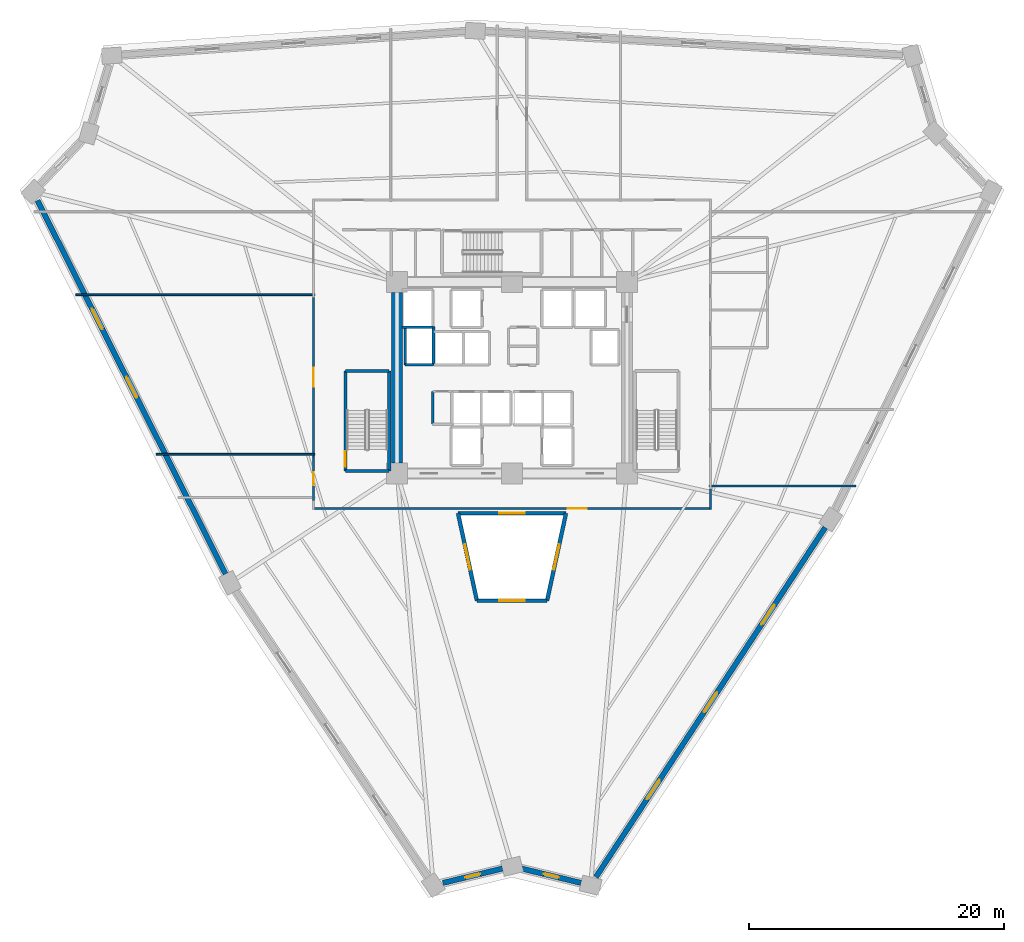
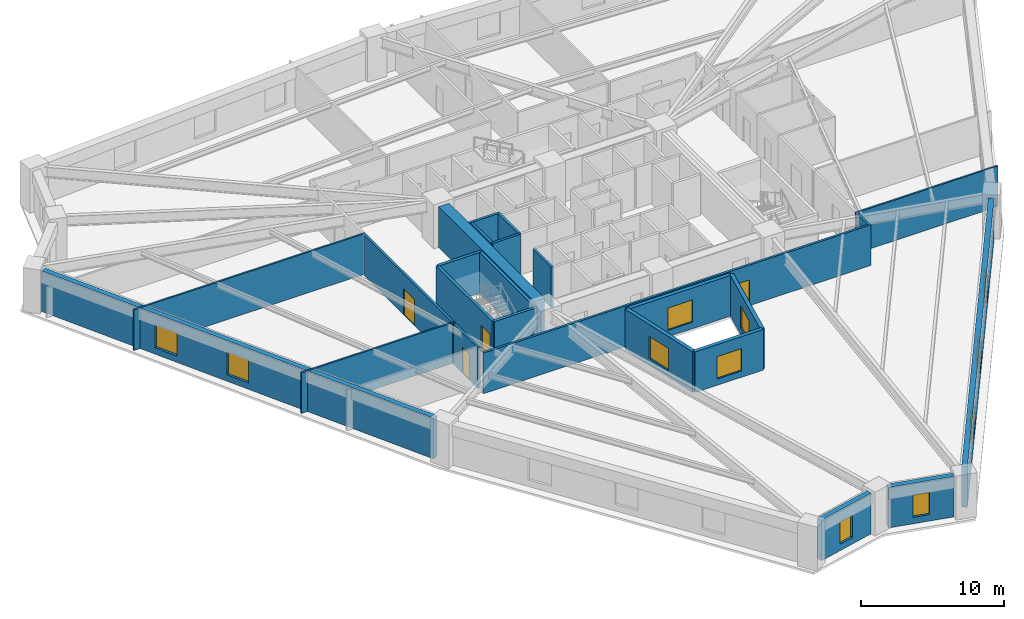
# One storey, part 3 of 8: 25 walls, 11 windows, 4 doors, 15 openings.
"""IFC4 building model written with IfcOpenShell, lengths in metres."""

from ifc_helpers import new_model, si_unit, direction, frame, frame_2d, origin, place, context, subcontext, project, spatial, rectangle, extrude, source, transform, mapped, material, layer, layer_set, type_object, element, fill, save


model = new_model("IFC4")

# Units and contexts
model_context = context("Model", 3, precision=1e-05, world=origin(), true_north=direction((0.0, 1.0)))
body_context = subcontext(model_context, "Body", "Model", "MODEL_VIEW")
ifc_project = project(units=[si_unit("LENGTHUNIT", "METRE"), si_unit("AREAUNIT", "SQUARE_METRE"), si_unit("VOLUMEUNIT", "CUBIC_METRE"), si_unit("PLANEANGLEUNIT", "RADIAN"), si_unit("MASSUNIT", "GRAM", prefix="KILO")], contexts=[model_context])

# Site, building, storey
site_placement = place(None, origin())
site = spatial("IfcSite", under=ifc_project, at=site_placement, CompositionType="ELEMENT")
building_placement = place(site_placement, origin())
building = spatial("IfcBuilding", under=site, at=building_placement, Name="Liaohun Quay Tower", CompositionType="ELEMENT")
storey_placement = place(building_placement, frame((0.0, 0.0, 89.25)))
storey = spatial("IfcBuildingStorey", under=building, at=storey_placement, Name="L23", CompositionType="ELEMENT", Elevation=89.25)

# Wall, opening, window
ifc_material_1 = material(Name="Concrete C50", Category="concrete")
ifc_layer_1 = layer(ifc_material_1, 0.300048828125, Name="Concrete C50", Category="concrete")
ifc_layer_set_1 = layer_set([ifc_layer_1], Name="Concrete C50")
wall_type_1 = type_object("IfcWallType", Name="WAL-ATR-300", PredefinedType="SOLIDWALL", material=ifc_layer_set_1)
wall_1_placement = place(storey_placement, frame((57.2509765625, 36.52197265625, 0.0), z_axis=(0.0, 0.0, 1.0), x_axis=(-0.211370579765, 0.977405994462, 0.0)))
wall_1 = element("IfcWall", 1, at=wall_1_placement, inside=storey, type_object=wall_type_1, Name="L23 Atrium Fire Compartment Wall 1", PredefinedType="SOLIDWALL", context=body_context, shape_type="SweptSolid", body=[
    extrude(rectangle(XDim=7.00634765625, YDim=0.300048828125, at=frame_2d((3.503173828125, 0.0))), origin(), (0.0, 0.0, 1.0), 3.469970703125),
])
shared_shape_1 = source(origin(), body_context, "Body", "SweptSolid", [
    extrude(rectangle(XDim=2.0, YDim=1.89990234375, at=frame_2d((1.0, 0.949951171875))), frame((0.0, 0.159912109375, 0.0), z_axis=(0.0, -1.0, 0.0), x_axis=(1.0, 0.0, 0.0)), (0.0, 0.0, 1.0), 0.320068359375),
])
opening_1_placement = place(wall_1_placement, frame((2.5029296875, 0.0, 0.550048828125)))
opening_1 = element("IfcOpeningElement", 2, at=opening_1_placement, cuts=wall_1, Name="Opening W07", PredefinedType="OPENING", context=body_context, shape_type="MappedRepresentation", body=[
    mapped(shared_shape_1, transform((0.0, 0.0, 0.0), x_axis=(1.0, 0.0, 0.0), y_axis=(0.0, 1.0, 0.0), z_axis=(0.0, 0.0, 1.0), scale=1.0)),
])
ifc_material_2 = material(Name="Class A 180-min fire-resistant insulated glazing", Category="glass")
window_type_1 = type_object("IfcWindowType", Name="WIN-ATR-FIR", PartitioningType="DOUBLE_PANEL_VERTICAL", PredefinedType="WINDOW", material=ifc_material_2)
shared_shape_2 = source(origin(), body_context, "Body", "SweptSolid", [
    extrude(rectangle(XDim=2.0, YDim=1.89990234375, at=frame_2d((1.0, 0.949951171875))), frame((0.0, 0.030029296875, 0.0), z_axis=(0.0, -1.0, 0.0), x_axis=(1.0, 0.0, 0.0)), (0.0, 0.0, 1.0), 0.06005859375),
])
window_1_placement = place(opening_1_placement, origin())
window_1 = element("IfcWindow", 3, at=window_1_placement, inside=storey, type_object=window_type_1, Name="L23 Atrium Fire-Resistant Glazing W07-1", OverallHeight=1.89990234375, OverallWidth=2.0, PartitioningType="DOUBLE_PANEL_VERTICAL", PredefinedType="WINDOW", context=body_context, shape_type="MappedRepresentation", body=[
    mapped(shared_shape_2, transform((0.0, 0.0, 0.0), x_axis=(1.0, 0.0, 0.0), y_axis=(0.0, 1.0, 0.0), z_axis=(0.0, 0.0, 1.0), scale=1.0)),
])
fill(opening_1, window_1)

wall_2_placement = place(storey_placement, frame((55.77001953125, 43.3701171875, 0.0), z_axis=(0.0, 0.0, 1.0), x_axis=(1.0, 0.0, 0.0)))
wall_2 = element("IfcWall", 4, at=wall_2_placement, inside=storey, type_object=wall_type_1, Name="L23 Atrium Fire Compartment Wall 2", PredefinedType="SOLIDWALL", context=body_context, shape_type="SweptSolid", body=[
    extrude(rectangle(XDim=8.4599609375, YDim=0.300048828125, at=frame_2d((4.22998046875, 0.0))), origin(), (0.0, 0.0, 1.0), 3.469970703125),
])
opening_2_placement = place(wall_2_placement, frame((3.22998046875, 0.0, 0.550048828125)))
opening_2 = element("IfcOpeningElement", 5, at=opening_2_placement, cuts=wall_2, Name="Opening W07", PredefinedType="OPENING", context=body_context, shape_type="MappedRepresentation", body=[
    mapped(shared_shape_1, transform((0.0, 0.0, 0.0), x_axis=(1.0, 0.0, 0.0), y_axis=(0.0, 1.0, 0.0), z_axis=(0.0, 0.0, 1.0), scale=1.0)),
])
window_2_placement = place(opening_2_placement, origin())
window_2 = element("IfcWindow", 6, at=window_2_placement, inside=storey, type_object=window_type_1, Name="L23 Atrium Fire-Resistant Glazing W07-2", OverallHeight=1.89990234375, OverallWidth=2.0, PartitioningType="DOUBLE_PANEL_VERTICAL", PredefinedType="WINDOW", context=body_context, shape_type="MappedRepresentation", body=[
    mapped(shared_shape_2, transform((0.0, 0.0, 0.0), x_axis=(1.0, 0.0, 0.0), y_axis=(0.0, 1.0, 0.0), z_axis=(0.0, 0.0, 1.0), scale=1.0)),
])
fill(opening_2, window_2)

wall_3_placement = place(storey_placement, frame((64.22998046875, 43.3701171875, 0.0), z_axis=(0.0, 0.0, 1.0), x_axis=(-0.211370579765, -0.977405994462, 0.0)))
wall_3 = element("IfcWall", 7, at=wall_3_placement, inside=storey, type_object=wall_type_1, Name="L23 Atrium Fire Compartment Wall 3", PredefinedType="SOLIDWALL", context=body_context, shape_type="SweptSolid", body=[
    extrude(rectangle(XDim=7.00634765625, YDim=0.300048828125, at=frame_2d((3.503173828125, 0.0))), origin(), (0.0, 0.0, 1.0), 3.469970703125),
])
opening_3_placement = place(wall_3_placement, frame((2.5029296875, 0.0, 0.550048828125)))
opening_3 = element("IfcOpeningElement", 8, at=opening_3_placement, cuts=wall_3, Name="Opening W07", PredefinedType="OPENING", context=body_context, shape_type="MappedRepresentation", body=[
    mapped(shared_shape_1, transform((0.0, 0.0, 0.0), x_axis=(1.0, 0.0, 0.0), y_axis=(0.0, 1.0, 0.0), z_axis=(0.0, 0.0, 1.0), scale=1.0)),
])
window_3_placement = place(opening_3_placement, origin())
window_3 = element("IfcWindow", 9, at=window_3_placement, inside=storey, type_object=window_type_1, Name="L23 Atrium Fire-Resistant Glazing W07-3", OverallHeight=1.89990234375, OverallWidth=2.0, PartitioningType="DOUBLE_PANEL_VERTICAL", PredefinedType="WINDOW", context=body_context, shape_type="MappedRepresentation", body=[
    mapped(shared_shape_2, transform((0.0, 0.0, 0.0), x_axis=(1.0, 0.0, 0.0), y_axis=(0.0, 1.0, 0.0), z_axis=(0.0, 0.0, 1.0), scale=1.0)),
])
fill(opening_3, window_3)

wall_4_placement = place(storey_placement, frame((62.7490234375, 36.52197265625, 0.0), z_axis=(0.0, 0.0, 1.0), x_axis=(-1.0, 0.0, 0.0)))
wall_4 = element("IfcWall", 10, at=wall_4_placement, inside=storey, type_object=wall_type_1, Name="L23 Atrium Fire Compartment Wall 4", PredefinedType="SOLIDWALL", context=body_context, shape_type="SweptSolid", body=[
    extrude(rectangle(XDim=5.498046875, YDim=0.300048828125, at=frame_2d((2.7490234375, 0.0))), origin(), (0.0, 0.0, 1.0), 3.469970703125),
])
opening_4_placement = place(wall_4_placement, frame((1.7490234375, 0.0, 0.550048828125)))
opening_4 = element("IfcOpeningElement", 11, at=opening_4_placement, cuts=wall_4, Name="Opening W07", PredefinedType="OPENING", context=body_context, shape_type="MappedRepresentation", body=[
    mapped(shared_shape_1, transform((0.0, 0.0, 0.0), x_axis=(1.0, 0.0, 0.0), y_axis=(0.0, 1.0, 0.0), z_axis=(0.0, 0.0, 1.0), scale=1.0)),
])
window_4_placement = place(opening_4_placement, origin())
window_4 = element("IfcWindow", 12, at=window_4_placement, inside=storey, type_object=window_type_1, Name="L23 Atrium Fire-Resistant Glazing W07-4", OverallHeight=1.89990234375, OverallWidth=2.0, PartitioningType="DOUBLE_PANEL_VERTICAL", PredefinedType="WINDOW", context=body_context, shape_type="MappedRepresentation", body=[
    mapped(shared_shape_2, transform((0.0, 0.0, 0.0), x_axis=(1.0, 0.0, 0.0), y_axis=(0.0, 1.0, 0.0), z_axis=(0.0, 0.0, 1.0), scale=1.0)),
])
fill(opening_4, window_4)

# Wall
ifc_material_3 = material(Name="Concrete C60", Category="concrete")
ifc_layer_2 = layer(ifc_material_3, 0.85009765625, Name="Concrete C60", Category="concrete")
ifc_layer_set_2 = layer_set([ifc_layer_2], Name="Concrete C60")
wall_type_2 = type_object("IfcWallType", Name="WAL-COR-Z1", PredefinedType="SHEAR", material=ifc_layer_set_2)
wall_5_placement = place(storey_placement, frame((51.0, 47.324951171875, 0.0), z_axis=(0.0, 0.0, 1.0), x_axis=(0.0, 1.0, 0.0)))
element("IfcWall", 13, at=wall_5_placement, inside=storey, type_object=wall_type_2, Name="L23 Central Core Shear Wall W", PredefinedType="SHEAR", context=body_context, shape_type="SweptSolid", body=[
    extrude(rectangle(XDim=13.35009765625, YDim=0.85009765625, at=frame_2d((6.675048828125, 0.0))), origin(), (0.0, 0.0, 1.0), 3.469970703125),
])

# Wall, opening, window
ifc_material_4 = material(Name="Precast concrete C50 insulated sandwich", Category="concrete")
ifc_layer_3 = layer(ifc_material_4, 0.419921875, Name="Precast concrete C50 insulated sandwich", Category="concrete")
ifc_layer_set_3 = layer_set([ifc_layer_3], Name="Precast concrete C50 insulated sandwich")
wall_type_3 = type_object("IfcWallType", Name="WAL-EXT-Z12", PredefinedType="SOLIDWALL", material=ifc_layer_set_3)
wall_6_placement = place(storey_placement, frame((60.743896484375, 15.534912109375, 0.0), z_axis=(0.0, 0.0, 1.0), x_axis=(0.972107800752, -0.234534483002, 0.0)))
wall_6 = element("IfcWall", 14, at=wall_6_placement, inside=storey, type_object=wall_type_3, Name="L23 Brutalist Precast Pier Wall 01", PredefinedType="SOLIDWALL", context=body_context, shape_type="SweptSolid", body=[
    extrude(rectangle(XDim=4.80078125, YDim=0.419921875, at=frame_2d((2.400390625, 0.0))), origin(), (0.0, 0.0, 1.0), 3.469970703125),
])
shared_shape_3 = source(origin(), body_context, "Body", "SweptSolid", [
    extrude(rectangle(XDim=1.199951171875, YDim=1.89990234375, at=frame_2d((0.60009765625, 0.949951171875))), frame((0.0, 0.219970703125, 0.0), z_axis=(0.0, -1.0, 0.0), x_axis=(1.0, 0.0, 0.0)), (0.0, 0.0, 1.0), 0.43994140625),
])
opening_5_placement = place(wall_6_placement, frame((1.800048828125, 0.0, 0.550048828125)))
opening_5 = element("IfcOpeningElement", 15, at=opening_5_placement, cuts=wall_6, Name="Opening W05", PredefinedType="OPENING", context=body_context, shape_type="MappedRepresentation", body=[
    mapped(shared_shape_3, transform((0.0, 0.0, 0.0), x_axis=(1.0, 0.0, 0.0), y_axis=(0.0, 1.0, 0.0), z_axis=(0.0, 0.0, 1.0), scale=1.0)),
])
ifc_material_5 = material(Name="Triple Low-E corner notch glazing", Category="glass")
window_type_2 = type_object("IfcWindowType", Name="WIN-NOTCH", PartitioningType="SINGLE_PANEL", PredefinedType="WINDOW", material=ifc_material_5)
shared_shape_4 = source(origin(), body_context, "Body", "SweptSolid", [
    extrude(rectangle(XDim=1.199951171875, YDim=1.89990234375, at=frame_2d((0.60009765625, 0.949951171875))), frame((0.0, 0.030029296875, 0.0), z_axis=(0.0, -1.0, 0.0), x_axis=(1.0, 0.0, 0.0)), (0.0, 0.0, 1.0), 0.06005859375),
])
window_5_placement = place(opening_5_placement, origin())
window_5 = element("IfcWindow", 16, at=window_5_placement, inside=storey, type_object=window_type_2, Name="L23 Corner Notch Window W05-01", OverallHeight=1.89990234375, OverallWidth=1.199951171875, PartitioningType="SINGLE_PANEL", PredefinedType="WINDOW", context=body_context, shape_type="MappedRepresentation", body=[
    mapped(shared_shape_4, transform((0.0, 0.0, 0.0), x_axis=(1.0, 0.0, 0.0), y_axis=(0.0, 1.0, 0.0), z_axis=(0.0, 0.0, 1.0), scale=1.0)),
])
fill(opening_5, window_5)

# Wall, openings, windows
wall_7_placement = place(storey_placement, frame((66.574951171875, 14.868896484375, 0.0), z_axis=(0.0, 0.0, 1.0), x_axis=(0.548487984854, 0.836158436225, 0.0)))
wall_7 = element("IfcWall", 17, at=wall_7_placement, inside=storey, type_object=wall_type_3, Name="L23 Brutalist Precast Pier Wall 02", PredefinedType="SOLIDWALL", context=body_context, shape_type="SweptSolid", body=[
    extrude(rectangle(XDim=32.766845703125, YDim=0.419921875, at=frame_2d((16.38330078125, 0.0))), origin(), (0.0, 0.0, 1.0), 3.469970703125),
])
shared_shape_5 = source(origin(), body_context, "Body", "SweptSolid", [
    extrude(rectangle(XDim=1.800048828125, YDim=1.949951171875, at=frame_2d((0.89990234375, 0.97509765625))), frame((0.0, 0.219970703125, 0.0), z_axis=(0.0, -1.0, 0.0), x_axis=(1.0, 0.0, 0.0)), (0.0, 0.0, 1.0), 0.43994140625),
])
opening_6_placement = place(wall_7_placement, frame((7.2919921875, 0.0, 0.550048828125)))
opening_6 = element("IfcOpeningElement", 18, at=opening_6_placement, cuts=wall_7, Name="Opening W01", PredefinedType="OPENING", context=body_context, shape_type="MappedRepresentation", body=[
    mapped(shared_shape_5, transform((0.0, 0.0, 0.0), x_axis=(1.0, 0.0, 0.0), y_axis=(0.0, 1.0, 0.0), z_axis=(0.0, 0.0, 1.0), scale=1.0)),
])
opening_7_placement = place(wall_7_placement, frame((15.48291015625, 0.0, 0.550048828125)))
opening_7 = element("IfcOpeningElement", 19, at=opening_7_placement, cuts=wall_7, Name="Opening W01", PredefinedType="OPENING", context=body_context, shape_type="MappedRepresentation", body=[
    mapped(shared_shape_5, transform((0.0, 0.0, 0.0), x_axis=(1.0, 0.0, 0.0), y_axis=(0.0, 1.0, 0.0), z_axis=(0.0, 0.0, 1.0), scale=1.0)),
])
opening_8_placement = place(wall_7_placement, frame((23.675048828125, 0.0, 0.550048828125)))
opening_8 = element("IfcOpeningElement", 20, at=opening_8_placement, cuts=wall_7, Name="Opening W01", PredefinedType="OPENING", context=body_context, shape_type="MappedRepresentation", body=[
    mapped(shared_shape_5, transform((0.0, 0.0, 0.0), x_axis=(1.0, 0.0, 0.0), y_axis=(0.0, 1.0, 0.0), z_axis=(0.0, 0.0, 1.0), scale=1.0)),
])
ifc_material_6 = material(Name="Triple Low-E argon glazing in thermally broken aluminium", Category="aluminium")
window_type_3 = type_object("IfcWindowType", Name="WIN-PUN-Z1", PartitioningType="DOUBLE_PANEL_VERTICAL", PredefinedType="WINDOW", material=ifc_material_6)
shared_shape_6 = source(origin(), body_context, "Body", "SweptSolid", [
    extrude(rectangle(XDim=1.800048828125, YDim=1.949951171875, at=frame_2d((0.89990234375, 0.97509765625))), frame((0.0, 0.030029296875, 0.0), z_axis=(0.0, -1.0, 0.0), x_axis=(1.0, 0.0, 0.0)), (0.0, 0.0, 1.0), 0.06005859375),
])
window_6_placement = place(opening_6_placement, origin())
window_6 = element("IfcWindow", 21, at=window_6_placement, inside=storey, type_object=window_type_3, Name="L23 Recessed Cold-Climate Punched Window 02-1", OverallHeight=1.949951171875, OverallWidth=1.800048828125, PartitioningType="DOUBLE_PANEL_VERTICAL", PredefinedType="WINDOW", context=body_context, shape_type="MappedRepresentation", body=[
    mapped(shared_shape_6, transform((0.0, 0.0, 0.0), x_axis=(1.0, 0.0, 0.0), y_axis=(0.0, 1.0, 0.0), z_axis=(0.0, 0.0, 1.0), scale=1.0)),
])
fill(opening_6, window_6)
window_7_placement = place(opening_7_placement, origin())
window_7 = element("IfcWindow", 22, at=window_7_placement, inside=storey, type_object=window_type_3, Name="L23 Recessed Cold-Climate Punched Window 02-2", OverallHeight=1.949951171875, OverallWidth=1.800048828125, PartitioningType="DOUBLE_PANEL_VERTICAL", PredefinedType="WINDOW", context=body_context, shape_type="MappedRepresentation", body=[
    mapped(shared_shape_6, transform((0.0, 0.0, 0.0), x_axis=(1.0, 0.0, 0.0), y_axis=(0.0, 1.0, 0.0), z_axis=(0.0, 0.0, 1.0), scale=1.0)),
])
fill(opening_7, window_7)
window_8_placement = place(opening_8_placement, origin())
window_8 = element("IfcWindow", 23, at=window_8_placement, inside=storey, type_object=window_type_3, Name="L23 Recessed Cold-Climate Punched Window 02-3", OverallHeight=1.949951171875, OverallWidth=1.800048828125, PartitioningType="DOUBLE_PANEL_VERTICAL", PredefinedType="WINDOW", context=body_context, shape_type="MappedRepresentation", body=[
    mapped(shared_shape_6, transform((0.0, 0.0, 0.0), x_axis=(1.0, 0.0, 0.0), y_axis=(0.0, 1.0, 0.0), z_axis=(0.0, 0.0, 1.0), scale=1.0)),
])
fill(opening_8, window_8)

wall_8_placement = place(storey_placement, frame((22.822998046875, 67.8720703125, 0.0), z_axis=(0.0, 0.0, 1.0), x_axis=(0.449893825909, -0.893082048531, 0.0)))
wall_8 = element("IfcWall", 24, at=wall_8_placement, inside=storey, type_object=wall_type_3, Name="L23 Brutalist Precast Pier Wall 10", PredefinedType="SOLIDWALL", context=body_context, shape_type="SweptSolid", body=[
    extrude(rectangle(XDim=32.767578125, YDim=0.419921875, at=frame_2d((16.3837890625, 0.0))), origin(), (0.0, 0.0, 1.0), 3.469970703125),
])
opening_9_placement = place(wall_8_placement, frame((9.491943359375, 0.0, 0.550048828125)))
opening_9 = element("IfcOpeningElement", 25, at=opening_9_placement, cuts=wall_8, Name="Opening W01", PredefinedType="OPENING", context=body_context, shape_type="MappedRepresentation", body=[
    mapped(shared_shape_5, transform((0.0, 0.0, 0.0), x_axis=(1.0, 0.0, 0.0), y_axis=(0.0, 1.0, 0.0), z_axis=(0.0, 0.0, 1.0), scale=1.0)),
])
opening_10_placement = place(wall_8_placement, frame((15.48388671875, 0.0, 0.550048828125)))
opening_10 = element("IfcOpeningElement", 26, at=opening_10_placement, cuts=wall_8, Name="Opening W01", PredefinedType="OPENING", context=body_context, shape_type="MappedRepresentation", body=[
    mapped(shared_shape_5, transform((0.0, 0.0, 0.0), x_axis=(1.0, 0.0, 0.0), y_axis=(0.0, 1.0, 0.0), z_axis=(0.0, 0.0, 1.0), scale=1.0)),
])
window_9_placement = place(opening_9_placement, origin())
window_9 = element("IfcWindow", 27, at=window_9_placement, inside=storey, type_object=window_type_3, Name="L23 Recessed Cold-Climate Punched Window 10-1", OverallHeight=1.949951171875, OverallWidth=1.800048828125, PartitioningType="DOUBLE_PANEL_VERTICAL", PredefinedType="WINDOW", context=body_context, shape_type="MappedRepresentation", body=[
    mapped(shared_shape_6, transform((0.0, 0.0, 0.0), x_axis=(1.0, 0.0, 0.0), y_axis=(0.0, 1.0, 0.0), z_axis=(0.0, 0.0, 1.0), scale=1.0)),
])
fill(opening_9, window_9)
window_10_placement = place(opening_10_placement, origin())
window_10 = element("IfcWindow", 28, at=window_10_placement, inside=storey, type_object=window_type_3, Name="L23 Recessed Cold-Climate Punched Window 10-2", OverallHeight=1.949951171875, OverallWidth=1.800048828125, PartitioningType="DOUBLE_PANEL_VERTICAL", PredefinedType="WINDOW", context=body_context, shape_type="MappedRepresentation", body=[
    mapped(shared_shape_6, transform((0.0, 0.0, 0.0), x_axis=(1.0, 0.0, 0.0), y_axis=(0.0, 1.0, 0.0), z_axis=(0.0, 0.0, 1.0), scale=1.0)),
])
fill(opening_10, window_10)

# Wall, opening, window
wall_9_placement = place(storey_placement, frame((54.58203125, 14.406982421875, 0.0), z_axis=(0.0, 0.0, 1.0), x_axis=(0.972096184363, 0.234582625843, 0.0)))
wall_9 = element("IfcWall", 29, at=wall_9_placement, inside=storey, type_object=wall_type_3, Name="L23 Brutalist Precast Pier Wall 12", PredefinedType="SOLIDWALL", context=body_context, shape_type="SweptSolid", body=[
    extrude(rectangle(XDim=4.808349609375, YDim=0.419921875, at=frame_2d((2.404296875, 0.0))), origin(), (0.0, 0.0, 1.0), 3.469970703125),
])
opening_11_placement = place(wall_9_placement, frame((1.803955078125, 0.0, 0.550048828125)))
opening_11 = element("IfcOpeningElement", 30, at=opening_11_placement, cuts=wall_9, Name="Opening W05", PredefinedType="OPENING", context=body_context, shape_type="MappedRepresentation", body=[
    mapped(shared_shape_3, transform((0.0, 0.0, 0.0), x_axis=(1.0, 0.0, 0.0), y_axis=(0.0, 1.0, 0.0), z_axis=(0.0, 0.0, 1.0), scale=1.0)),
])
window_11_placement = place(opening_11_placement, origin())
window_11 = element("IfcWindow", 31, at=window_11_placement, inside=storey, type_object=window_type_2, Name="L23 Corner Notch Window W05-12", OverallHeight=1.89990234375, OverallWidth=1.199951171875, PartitioningType="SINGLE_PANEL", PredefinedType="WINDOW", context=body_context, shape_type="MappedRepresentation", body=[
    mapped(shared_shape_4, transform((0.0, 0.0, 0.0), x_axis=(1.0, 0.0, 0.0), y_axis=(0.0, 1.0, 0.0), z_axis=(0.0, 0.0, 1.0), scale=1.0)),
])
fill(opening_11, window_11)

# Wall, opening, door
ifc_material_7 = material(Name="Autoclaved aerated concrete blockwork", Category="masonry")
ifc_layer_4 = layer(ifc_material_7, 0.179931640625, Name="Autoclaved aerated concrete blockwork", Category="masonry")
ifc_layer_set_4 = layer_set([ifc_layer_4], Name="Autoclaved aerated concrete blockwork")
wall_type_4 = type_object("IfcWallType", Name="WAL-PRT-COR", PredefinedType="PARTITIONING", material=ifc_layer_set_4)
wall_10_placement = place(storey_placement, frame((44.43994140625, 47.784912109375, 0.0), z_axis=(0.0, 0.0, 1.0), x_axis=(0.0, 1.0, 0.0)))
wall_10 = element("IfcWall", 32, at=wall_10_placement, inside=storey, type_object=wall_type_4, Name="L23 Interior Partition Wall 020", PredefinedType="PARTITIONING", context=body_context, shape_type="SweptSolid", body=[
    extrude(rectangle(XDim=12.5, YDim=0.179931640625, at=frame_2d((6.25, 0.0))), origin(), (0.0, 0.0, 1.0), 3.469970703125),
])
shared_shape_7 = source(origin(), body_context, "Body", "SweptSolid", [
    extrude(rectangle(XDim=1.5, YDim=2.199951171875, at=frame_2d((0.75, 1.10009765625))), frame((0.0, 0.099853515625, 0.0), z_axis=(0.0, -1.0, 0.0), x_axis=(1.0, 0.0, 0.0)), (0.0, 0.0, 1.0), 0.199951171875),
])
opening_12_placement = place(wall_10_placement, frame((5.5, 0.0, 0.0)))
opening_12 = element("IfcOpeningElement", 33, at=opening_12_placement, cuts=wall_10, Name="Opening OD2", PredefinedType="OPENING", context=body_context, shape_type="MappedRepresentation", body=[
    mapped(shared_shape_7, transform((0.0, 0.0, 0.0), x_axis=(1.0, 0.0, 0.0), y_axis=(0.0, 1.0, 0.0), z_axis=(0.0, 0.0, 1.0), scale=1.0)),
])
ifc_material_8 = material(Name="Acoustic oak veneer double door")
door_type_1 = type_object("IfcDoorType", Name="DOR-OFF-1500", OperationType="DOUBLE_DOOR_SINGLE_SWING", PredefinedType="DOOR", material=ifc_material_8)
shared_shape_8 = source(origin(), body_context, "Body", "SweptSolid", [
    extrude(rectangle(XDim=1.5, YDim=2.199951171875, at=frame_2d((0.75, 1.10009765625))), frame((0.0, 0.02490234375, 0.0), z_axis=(0.0, -1.0, 0.0), x_axis=(1.0, 0.0, 0.0)), (0.0, 0.0, 1.0), 0.050048828125),
])
door_1_placement = place(opening_12_placement, origin())
door_1 = element("IfcDoor", 34, at=door_1_placement, inside=storey, type_object=door_type_1, Name="L23 Architectural Design Studio 07 Door", OperationType="DOUBLE_DOOR_SINGLE_SWING", OverallHeight=2.199951171875, OverallWidth=1.5, PredefinedType="DOOR", context=body_context, shape_type="MappedRepresentation", body=[
    mapped(shared_shape_8, transform((0.0, 0.0, 0.0), x_axis=(1.0, 0.0, 0.0), y_axis=(0.0, 1.0, 0.0), z_axis=(0.0, 0.0, 1.0), scale=1.0)),
])
fill(opening_12, door_1)

wall_11_placement = place(storey_placement, frame((44.43994140625, 44.385009765625, 0.0), z_axis=(0.0, 0.0, 1.0), x_axis=(0.0, 1.0, 0.0)))
wall_11 = element("IfcWall", 35, at=wall_11_placement, inside=storey, type_object=wall_type_4, Name="L23 Interior Partition Wall 021", PredefinedType="PARTITIONING", context=body_context, shape_type="SweptSolid", body=[
    extrude(rectangle(XDim=3.39990234375, YDim=0.179931640625, at=frame_2d((1.699951171875, 0.0))), origin(), (0.0, 0.0, 1.0), 3.469970703125),
])
shared_shape_9 = source(origin(), body_context, "Body", "SweptSolid", [
    extrude(rectangle(XDim=1.0, YDim=2.199951171875, at=frame_2d((0.5, 1.10009765625))), frame((0.0, 0.099853515625, 0.0), z_axis=(0.0, -1.0, 0.0), x_axis=(1.0, 0.0, 0.0)), (0.0, 0.0, 1.0), 0.199951171875),
])
opening_13_placement = place(wall_11_placement, frame((1.199951171875, 0.0, 0.0)))
opening_13 = element("IfcOpeningElement", 36, at=opening_13_placement, cuts=wall_11, Name="Opening OD1", PredefinedType="OPENING", context=body_context, shape_type="MappedRepresentation", body=[
    mapped(shared_shape_9, transform((0.0, 0.0, 0.0), x_axis=(1.0, 0.0, 0.0), y_axis=(0.0, 1.0, 0.0), z_axis=(0.0, 0.0, 1.0), scale=1.0)),
])
ifc_material_9 = material(Name="Solid-core oak veneer timber leaf in steel frame", Category="steel")
door_type_2 = type_object("IfcDoorType", Name="DOR-OFF-1000", OperationType="NOTDEFINED", PredefinedType="DOOR", material=ifc_material_9)
shared_shape_10 = source(origin(), body_context, "Body", "SweptSolid", [
    extrude(rectangle(XDim=1.0, YDim=2.199951171875, at=frame_2d((0.5, 1.10009765625))), frame((0.0, 0.02490234375, 0.0), z_axis=(0.0, -1.0, 0.0), x_axis=(1.0, 0.0, 0.0)), (0.0, 0.0, 1.0), 0.050048828125),
])
door_2_placement = place(opening_13_placement, origin())
door_2 = element("IfcDoor", 37, at=door_2_placement, inside=storey, type_object=door_type_2, Name="L23 Client Collaboration Lounge 08 Door", OperationType="SINGLE_SWING_RIGHT", OverallHeight=2.199951171875, OverallWidth=1.0, PredefinedType="DOOR", context=body_context, shape_type="MappedRepresentation", body=[
    mapped(shared_shape_10, transform((0.0, 0.0, 0.0), x_axis=(1.0, 0.0, 0.0), y_axis=(0.0, 1.0, 0.0), z_axis=(0.0, 0.0, 1.0), scale=1.0)),
])
fill(opening_13, door_2)

wall_12_placement = place(storey_placement, frame((75.6298828125, 43.739990234375, 0.0), z_axis=(0.0, 0.0, 1.0), x_axis=(-1.0, 0.0, 0.0)))
wall_12 = element("IfcWall", 38, at=wall_12_placement, inside=storey, type_object=wall_type_4, Name="L23 Interior Partition Wall 022", PredefinedType="PARTITIONING", context=body_context, shape_type="SweptSolid", body=[
    extrude(rectangle(XDim=31.259765625, YDim=0.179931640625, at=frame_2d((15.6298828125, 0.0))), origin(), (0.0, 0.0, 1.0), 3.469970703125),
])
opening_14_placement = place(wall_12_placement, frame((9.780029296875, 0.0, 0.0)))
opening_14 = element("IfcOpeningElement", 39, at=opening_14_placement, cuts=wall_12, Name="Opening OD2", PredefinedType="OPENING", context=body_context, shape_type="MappedRepresentation", body=[
    mapped(shared_shape_7, transform((0.0, 0.0, 0.0), x_axis=(1.0, 0.0, 0.0), y_axis=(0.0, 1.0, 0.0), z_axis=(0.0, 0.0, 1.0), scale=1.0)),
])
door_3_placement = place(opening_14_placement, origin())
door_3 = element("IfcDoor", 40, at=door_3_placement, inside=storey, type_object=door_type_1, Name="L23 Records Archive Store 09 Door", OperationType="DOUBLE_DOOR_SINGLE_SWING", OverallHeight=2.199951171875, OverallWidth=1.5, PredefinedType="DOOR", context=body_context, shape_type="MappedRepresentation", body=[
    mapped(shared_shape_8, transform((0.0, 0.0, 0.0), x_axis=(1.0, 0.0, 0.0), y_axis=(0.0, 1.0, 0.0), z_axis=(0.0, 0.0, 1.0), scale=1.0)),
])
fill(opening_14, door_3)

# Walls
wall_13_placement = place(storey_placement, frame((53.7900390625, 50.35009765625, 0.0), z_axis=(0.0, 0.0, 1.0), x_axis=(0.0, 1.0, 0.0)))
element("IfcWall", 41, at=wall_13_placement, inside=storey, type_object=wall_type_4, Name="L23 Interior Partition Wall 027", PredefinedType="PARTITIONING", context=body_context, shape_type="SweptSolid", body=[
    extrude(rectangle(XDim=2.56982421875, YDim=0.179931640625, at=frame_2d((1.284912109375, 0.0))), origin(), (0.0, 0.0, 1.0), 3.469970703125),
])
wall_14_placement = place(storey_placement, frame((75.56005859375, 45.284912109375, 0.0), z_axis=(0.0, 0.0, 1.0), x_axis=(0.0, -1.0, 0.0)))
element("IfcWall", 42, at=wall_14_placement, inside=storey, type_object=wall_type_4, Name="L23 Interior Partition Wall 044", PredefinedType="PARTITIONING", context=body_context, shape_type="SweptSolid", body=[
    extrude(rectangle(XDim=1.614990234375, YDim=0.179931640625, at=frame_2d((0.8076171875, 0.0))), origin(), (0.0, 0.0, 1.0), 3.469970703125),
])
ifc_material_10 = material(Name="Gypsum board on twin steel studs", Category="steel")
ifc_layer_5 = layer(ifc_material_10, 0.139892578125, Name="Gypsum board on twin steel studs", Category="steel")
ifc_layer_set_5 = layer_set([ifc_layer_5], Name="Gypsum board on twin steel studs")
wall_type_5 = type_object("IfcWallType", Name="WAL-PRT-OFF", PredefinedType="PARTITIONING", material=ifc_layer_set_5)
wall_15_placement = place(storey_placement, frame((44.5400390625, 48.0, 0.0), z_axis=(0.0, 0.0, 1.0), x_axis=(-1.0, 0.0, 0.0)))
element("IfcWall", 43, at=wall_15_placement, inside=storey, type_object=wall_type_5, Name="L23 Interior Partition Wall 047", PredefinedType="PARTITIONING", context=body_context, shape_type="SweptSolid", body=[
    extrude(rectangle(XDim=12.412109375, YDim=0.139892578125, at=frame_2d((6.2060546875, 0.0))), origin(), (0.0, 0.0, 1.0), 3.469970703125),
])
wall_16_placement = place(storey_placement, frame((44.5400390625, 60.5, 0.0), z_axis=(0.0, 0.0, 1.0), x_axis=(-1.0, 0.0, 0.0)))
element("IfcWall", 44, at=wall_16_placement, inside=storey, type_object=wall_type_5, Name="L23 Interior Partition Wall 048", PredefinedType="PARTITIONING", context=body_context, shape_type="SweptSolid", body=[
    extrude(rectangle(XDim=18.7080078125, YDim=0.139892578125, at=frame_2d((9.35400390625, 0.0))), origin(), (0.0, 0.0, 1.0), 3.469970703125),
])
wall_17_placement = place(storey_placement, frame((75.4599609375, 45.5, 0.0), z_axis=(0.0, 0.0, 1.0), x_axis=(1.0, 0.0, 0.0)))
element("IfcWall", 45, at=wall_17_placement, inside=storey, type_object=wall_type_5, Name="L23 Interior Partition Wall 050", PredefinedType="PARTITIONING", context=body_context, shape_type="SweptSolid", body=[
    extrude(rectangle(XDim=11.47900390625, YDim=0.139892578125, at=frame_2d((5.739501953125, 0.0))), origin(), (0.0, 0.0, 1.0), 3.469970703125),
])
ifc_layer_6 = layer(ifc_material_1, 0.239990234375, Name="Concrete C50", Category="concrete")
ifc_layer_set_6 = layer_set([ifc_layer_6], Name="Concrete C50")
wall_type_6 = type_object("IfcWallType", Name="WAL-SHF-200", PredefinedType="SOLIDWALL", material=ifc_layer_set_6)
wall_18_placement = place(storey_placement, frame((46.93994140625, 46.699951171875, 0.0), z_axis=(0.0, 0.0, 1.0), x_axis=(1.0, 0.0, 0.0)))
element("IfcWall", 46, at=wall_18_placement, inside=storey, type_object=wall_type_6, Name="L23 Stairwell ST-1 Structural Core Wall S", PredefinedType="SOLIDWALL", context=body_context, shape_type="SweptSolid", body=[
    extrude(rectangle(XDim=3.43994140625, YDim=0.239990234375, at=frame_2d((1.719970703125, 0.0))), origin(), (0.0, 0.0, 1.0), 3.469970703125),
])
wall_19_placement = place(storey_placement, frame((50.3798828125, 46.699951171875, 0.0), z_axis=(0.0, 0.0, 1.0), x_axis=(0.0, 1.0, 0.0)))
element("IfcWall", 47, at=wall_19_placement, inside=storey, type_object=wall_type_6, Name="L23 Stairwell ST-1 Structural Core Wall E", PredefinedType="SOLIDWALL", context=body_context, shape_type="SweptSolid", body=[
    extrude(rectangle(XDim=7.820068359375, YDim=0.239990234375, at=frame_2d((3.91015625, 0.0))), origin(), (0.0, 0.0, 1.0), 3.469970703125),
])
wall_20_placement = place(storey_placement, frame((50.3798828125, 54.52001953125, 0.0), z_axis=(0.0, 0.0, 1.0), x_axis=(-1.0, 0.0, 0.0)))
element("IfcWall", 48, at=wall_20_placement, inside=storey, type_object=wall_type_6, Name="L23 Stairwell ST-1 Structural Core Wall N", PredefinedType="SOLIDWALL", context=body_context, shape_type="SweptSolid", body=[
    extrude(rectangle(XDim=3.43994140625, YDim=0.239990234375, at=frame_2d((1.719970703125, 0.0))), origin(), (0.0, 0.0, 1.0), 3.469970703125),
])

# Wall, opening, door
wall_21_placement = place(storey_placement, frame((46.93994140625, 54.52001953125, 0.0), z_axis=(0.0, 0.0, 1.0), x_axis=(0.0, -1.0, 0.0)))
wall_21 = element("IfcWall", 49, at=wall_21_placement, inside=storey, type_object=wall_type_6, Name="L23 Stairwell ST-1 Structural Core Wall W", PredefinedType="SOLIDWALL", context=body_context, shape_type="SweptSolid", body=[
    extrude(rectangle(XDim=7.820068359375, YDim=0.239990234375, at=frame_2d((3.91015625, 0.0))), origin(), (0.0, 0.0, 1.0), 3.469970703125),
])
shared_shape_11 = source(origin(), body_context, "Body", "SweptSolid", [
    extrude(rectangle(XDim=1.199951171875, YDim=2.199951171875, at=frame_2d((0.60009765625, 1.10009765625))), frame((0.0, 0.1298828125, 0.0), z_axis=(0.0, -1.0, 0.0), x_axis=(1.0, 0.0, 0.0)), (0.0, 0.0, 1.0), 0.260009765625),
])
opening_15_placement = place(wall_21_placement, frame((6.300048828125, 0.0, 0.0)))
opening_15 = element("IfcOpeningElement", 50, at=opening_15_placement, cuts=wall_21, Name="Opening SD1", PredefinedType="OPENING", context=body_context, shape_type="MappedRepresentation", body=[
    mapped(shared_shape_11, transform((0.0, 0.0, 0.0), x_axis=(1.0, 0.0, 0.0), y_axis=(0.0, 1.0, 0.0), z_axis=(0.0, 0.0, 1.0), scale=1.0)),
])
ifc_material_11 = material(Name="Galvanised steel fire door", Category="steel")
door_type_3 = type_object("IfcDoorType", Name="DOR-STR-1200", OperationType="NOTDEFINED", PredefinedType="DOOR", material=ifc_material_11)
shared_shape_12 = source(origin(), body_context, "Body", "SweptSolid", [
    extrude(rectangle(XDim=1.199951171875, YDim=2.199951171875, at=frame_2d((0.60009765625, 1.10009765625))), frame((0.0, 0.02490234375, 0.0), z_axis=(0.0, -1.0, 0.0), x_axis=(1.0, 0.0, 0.0)), (0.0, 0.0, 1.0), 0.050048828125),
])
door_4_placement = place(opening_15_placement, origin())
door_4 = element("IfcDoor", 51, at=door_4_placement, inside=storey, type_object=door_type_3, Name="L23 Protected Stair ST-1 Fire Door", OperationType="SINGLE_SWING_LEFT", OverallHeight=2.199951171875, OverallWidth=1.199951171875, PredefinedType="DOOR", context=body_context, shape_type="MappedRepresentation", body=[
    mapped(shared_shape_12, transform((0.0, 0.0, 0.0), x_axis=(1.0, 0.0, 0.0), y_axis=(0.0, 1.0, 0.0), z_axis=(0.0, 0.0, 1.0), scale=1.0)),
])
fill(opening_15, door_4)

# Walls
wall_22_placement = place(storey_placement, frame((51.39990234375, 57.949951171875, 0.0), z_axis=(0.0, 0.0, 1.0), x_axis=(1.0, 0.0, 0.0)))
element("IfcWall", 52, at=wall_22_placement, inside=storey, type_object=wall_type_6, Name="L23 Lift SH-01 Hoistway Wall S", PredefinedType="SOLIDWALL", context=body_context, shape_type="SweptSolid", body=[
    extrude(rectangle(XDim=2.400146484375, YDim=0.199951171875, at=frame_2d((1.2001953125, 0.0))), origin(), (0.0, 0.0, 1.0), 3.469970703125),
])
wall_23_placement = place(storey_placement, frame((51.6201171875, 55.0, 0.0), z_axis=(0.0, 0.0, 1.0), x_axis=(1.0, 0.0, 0.0)))
element("IfcWall", 53, at=wall_23_placement, inside=storey, type_object=wall_type_6, Name="L23 Lift SH-02 Hoistway Wall S", PredefinedType="SOLIDWALL", context=body_context, shape_type="SweptSolid", body=[
    extrude(rectangle(XDim=2.22998046875, YDim=0.199951171875, at=frame_2d((1.114990234375, 0.0))), origin(), (0.0, 0.0, 1.0), 3.469970703125),
])
for number, where, z_axis, x_axis, name in (
    (54, (53.85009765625, 55.0, 0.0), (0.0, 0.0, 1.0), (0.0, 1.0, 0.0), "L23 Lift SH-02 Hoistway Wall E"),
    (55, (51.6201171875, 58.0, 0.0), (0.0, 0.0, 1.0), (0.0, -1.0, 0.0), "L23 Lift SH-02 Hoistway Wall W"),
):
    element("IfcWall", number, at=place(storey_placement, frame(where, z_axis=z_axis, x_axis=x_axis)), inside=storey, type_object=wall_type_6, Name=name, PredefinedType="SOLIDWALL", context=body_context, shape_type="SweptSolid", body=[
        extrude(rectangle(XDim=3.0, YDim=0.199951171875, at=frame_2d((1.5, 0.0))), origin(), (0.0, 0.0, 1.0), 3.469970703125),
    ])

save(model, "model.ifc")
